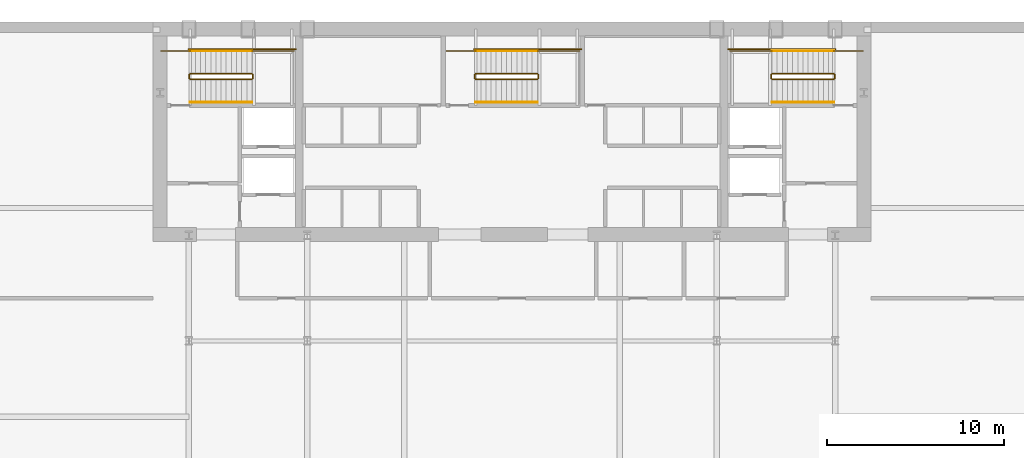
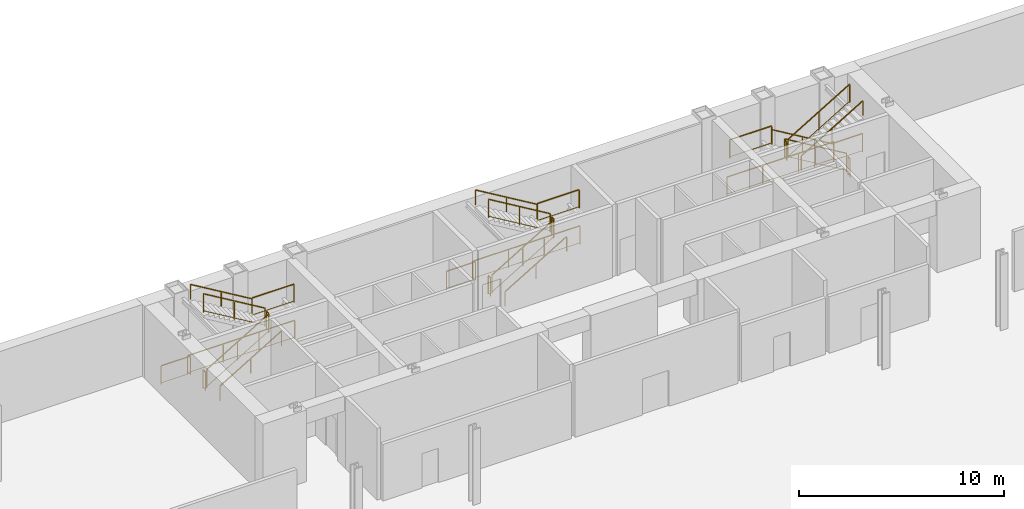
# One storey, part 10 of 10: 27 railings.
"""IFC4 building model written with IfcOpenShell, lengths in metres."""

from ifc_helpers import new_model, si_unit, direction, frame, origin, origin_2d, place, context, subcontext, project, spatial, rectangle, extrude, material, type_object, element, save


model = new_model("IFC4")

# Units and contexts
model_context = context("Model", 3, precision=1e-05, world=origin(), true_north=direction((0.0, 1.0)))
body_context = subcontext(model_context, "Body", "Model", "MODEL_VIEW")
ifc_project = project(units=[si_unit("LENGTHUNIT", "METRE"), si_unit("AREAUNIT", "SQUARE_METRE"), si_unit("VOLUMEUNIT", "CUBIC_METRE"), si_unit("PLANEANGLEUNIT", "RADIAN"), si_unit("MASSUNIT", "GRAM", prefix="KILO")], contexts=[model_context])

# Site, building, storey
site_placement = place(None, origin())
site = spatial("IfcSite", under=ifc_project, at=site_placement, CompositionType="ELEMENT")
building_placement = place(site_placement, origin())
building = spatial("IfcBuilding", under=site, at=building_placement, Name="Khoronbel Lancet Exchange", CompositionType="ELEMENT")
storey_placement = place(building_placement, frame((0.0, 0.0, -4.5)))
storey = spatial("IfcBuildingStorey", under=building, at=storey_placement, Name="B1", CompositionType="ELEMENT", Elevation=-4.5)

# Railings
ifc_material_1 = material(Name="Painted Steel Balustrade", Category="steel")
railing_type_1 = type_object("IfcRailingType", Name="RL-STG110", PredefinedType="GUARDRAIL", material=ifc_material_1)
railing_1_placement = place(storey_placement, frame((18.300048828125, 50.449951171875, 0.173095703125)))
element("IfcRailing", 1, at=railing_1_placement, inside=storey, type_object=railing_type_1, Name="B1 ST1 stair guard 1", PredefinedType="GUARDRAIL", context=body_context, shape_type="SweptSolid", body=[
    extrude(rectangle(XDim=0.048095703125, YDim=0.048095703125, at=origin_2d()), frame((0.0, 0.0, 1.09619140625), z_axis=(0.858697190188, 0.0, 0.512483302717), x_axis=(0.0, 1.0, 0.0)), (0.0, 0.0, 1.0), 4.052734375),
    extrude(rectangle(XDim=0.02392578125, YDim=0.02392578125, at=origin_2d()), frame((0.0, 0.0, 0.080078125), z_axis=(0.858697190188, 0.0, 0.512483302717), x_axis=(0.0, 1.0, 0.0)), (0.0, 0.0, 1.0), 4.052734375),
    extrude(rectangle(XDim=0.0419921875, YDim=0.0419921875, at=origin_2d()), origin(), (0.0, 0.0, 1.0), 1.072021484375),
    extrude(rectangle(XDim=0.0419921875, YDim=0.0419921875, at=origin_2d()), frame((1.739990234375, 0.0, 1.03857421875)), (0.0, 0.0, 1.0), 1.072021484375),
    extrude(rectangle(XDim=0.0419921875, YDim=0.0419921875, at=origin_2d()), frame((3.47998046875, 0.0, 2.076904296875)), (0.0, 0.0, 1.0), 1.072021484375),
])
railing_2_placement = place(storey_placement, frame((21.830078125, 50.5, 2.25)))
element("IfcRailing", 2, at=railing_2_placement, inside=storey, type_object=railing_type_1, Name="B1 ST1 stair guard 2", PredefinedType="GUARDRAIL", context=body_context, shape_type="SweptSolid", body=[
    extrude(rectangle(XDim=0.048095703125, YDim=0.048095703125, at=origin_2d()), frame((0.0, 0.0, 1.09619140625), z_axis=(0.0, 1.0, 0.0), x_axis=(-1.0, 0.0, 0.0)), (0.0, 0.0, 1.0), 0.219970703125),
    extrude(rectangle(XDim=0.02392578125, YDim=0.02392578125, at=origin_2d()), frame((0.0, 0.0, 0.080078125), z_axis=(0.0, 1.0, 0.0), x_axis=(-1.0, 0.0, 0.0)), (0.0, 0.0, 1.0), 0.219970703125),
    extrude(rectangle(XDim=0.0419921875, YDim=0.0419921875, at=origin_2d()), origin(), (0.0, 0.0, 1.0), 1.072021484375),
    extrude(rectangle(XDim=0.0419921875, YDim=0.0419921875, at=origin_2d()), frame((0.0, 0.219970703125, 0.0)), (0.0, 0.0, 1.0), 1.072021484375),
])
railing_3_placement = place(storey_placement, frame((21.780029296875, 52.050048828125, 2.25)))
element("IfcRailing", 3, at=railing_3_placement, inside=storey, type_object=railing_type_1, Name="B1 ST1 stair guard 3", PredefinedType="GUARDRAIL", context=body_context, shape_type="SweptSolid", body=[
    extrude(rectangle(XDim=0.048095703125, YDim=0.048095703125, at=origin_2d()), frame((0.0, 0.0, 1.09619140625), z_axis=(1.0, 0.0, 0.0), x_axis=(0.0, 1.0, 0.0)), (0.0, 0.0, 1.0), 2.369873046875),
    extrude(rectangle(XDim=0.02392578125, YDim=0.02392578125, at=origin_2d()), frame((0.0, 0.0, 0.080078125), z_axis=(1.0, 0.0, 0.0), x_axis=(0.0, 1.0, 0.0)), (0.0, 0.0, 1.0), 2.369873046875),
    extrude(rectangle(XDim=0.0419921875, YDim=0.0419921875, at=origin_2d()), origin(), (0.0, 0.0, 1.0), 1.072021484375),
    extrude(rectangle(XDim=0.0419921875, YDim=0.0419921875, at=origin_2d()), frame((2.369873046875, 0.0, 0.0)), (0.0, 0.0, 1.0), 1.072021484375),
])
railing_4_placement = place(storey_placement, frame((21.780029296875, 50.77001953125, 2.423095703125)))
element("IfcRailing", 4, at=railing_4_placement, inside=storey, type_object=railing_type_1, Name="B1 ST1 stair guard 4", PredefinedType="GUARDRAIL", context=body_context, shape_type="SweptSolid", body=[
    extrude(rectangle(XDim=0.048095703125, YDim=0.048095703125, at=origin_2d()), frame((0.0, 0.0, 1.09619140625), z_axis=(-0.858697190188, 0.0, 0.512483302717), x_axis=(0.0, -1.0, 0.0)), (0.0, 0.0, 1.0), 4.052734375),
    extrude(rectangle(XDim=0.02392578125, YDim=0.02392578125, at=origin_2d()), frame((0.0, 0.0, 0.080078125), z_axis=(-0.858697190188, 0.0, 0.512483302717), x_axis=(0.0, -1.0, 0.0)), (0.0, 0.0, 1.0), 4.052734375),
    extrude(rectangle(XDim=0.0419921875, YDim=0.0419921875, at=origin_2d()), origin(), (0.0, 0.0, 1.0), 1.072021484375),
    extrude(rectangle(XDim=0.0419921875, YDim=0.0419921875, at=origin_2d()), frame((-1.739990234375, 0.0, 1.03857421875)), (0.0, 0.0, 1.0), 1.072021484375),
    extrude(rectangle(XDim=0.0419921875, YDim=0.0419921875, at=origin_2d()), frame((-3.47998046875, 0.0, 2.076904296875)), (0.0, 0.0, 1.0), 1.072021484375),
])
railing_5_placement = place(storey_placement, frame((18.25, 50.5, 0.0)))
element("IfcRailing", 5, at=railing_5_placement, inside=storey, type_object=railing_type_1, Name="B1 ST1 stair guard 5", PredefinedType="GUARDRAIL", context=body_context, shape_type="SweptSolid", body=[
    extrude(rectangle(XDim=0.048095703125, YDim=0.048095703125, at=origin_2d()), frame((0.0, 0.0, 1.09619140625), z_axis=(0.0, 1.0, 0.0), x_axis=(-1.0, 0.0, 0.0)), (0.0, 0.0, 1.0), 0.219970703125),
    extrude(rectangle(XDim=0.02392578125, YDim=0.02392578125, at=origin_2d()), frame((0.0, 0.0, 0.080078125), z_axis=(0.0, 1.0, 0.0), x_axis=(-1.0, 0.0, 0.0)), (0.0, 0.0, 1.0), 0.219970703125),
    extrude(rectangle(XDim=0.0419921875, YDim=0.0419921875, at=origin_2d()), origin(), (0.0, 0.0, 1.0), 1.072021484375),
    extrude(rectangle(XDim=0.0419921875, YDim=0.0419921875, at=origin_2d()), frame((0.0, 0.219970703125, 0.0)), (0.0, 0.0, 1.0), 1.072021484375),
])
railing_6_placement = place(storey_placement, frame((16.64990234375, 52.050048828125, 0.0)))
element("IfcRailing", 6, at=railing_6_placement, inside=storey, type_object=railing_type_1, Name="B1 ST1 stair guard 6", PredefinedType="GUARDRAIL", context=body_context, shape_type="SweptSolid", body=[
    extrude(rectangle(XDim=0.048095703125, YDim=0.048095703125, at=origin_2d()), frame((0.0, 0.0, 1.09619140625), z_axis=(1.0, 0.0, 0.0), x_axis=(0.0, 1.0, 0.0)), (0.0, 0.0, 1.0), 1.650146484375),
    extrude(rectangle(XDim=0.02392578125, YDim=0.02392578125, at=origin_2d()), frame((0.0, 0.0, 0.080078125), z_axis=(1.0, 0.0, 0.0), x_axis=(0.0, 1.0, 0.0)), (0.0, 0.0, 1.0), 1.650146484375),
    extrude(rectangle(XDim=0.0419921875, YDim=0.0419921875, at=origin_2d()), origin(), (0.0, 0.0, 1.0), 1.072021484375),
    extrude(rectangle(XDim=0.0419921875, YDim=0.0419921875, at=origin_2d()), frame((1.650146484375, 0.0, 0.0)), (0.0, 0.0, 1.0), 1.072021484375),
])
railing_7_placement = place(storey_placement, frame((18.199951171875, 52.14990234375, 0.0)))
element("IfcRailing", 7, at=railing_7_placement, inside=storey, type_object=railing_type_1, Name="B1 ST1 stair guard 7", PredefinedType="GUARDRAIL", context=body_context, shape_type="SweptSolid", body=[
    extrude(rectangle(XDim=0.048095703125, YDim=0.048095703125, at=origin_2d()), frame((0.0, 0.0, 1.09619140625), z_axis=(1.0, 0.0, 0.0), x_axis=(0.0, 1.0, 0.0)), (0.0, 0.0, 1.0), 6.050048828125),
    extrude(rectangle(XDim=0.02392578125, YDim=0.02392578125, at=origin_2d()), frame((0.0, 0.0, 0.080078125), z_axis=(1.0, 0.0, 0.0), x_axis=(0.0, 1.0, 0.0)), (0.0, 0.0, 1.0), 6.050048828125),
    extrude(rectangle(XDim=0.0419921875, YDim=0.0419921875, at=origin_2d()), origin(), (0.0, 0.0, 1.0), 1.072021484375),
    extrude(rectangle(XDim=0.0419921875, YDim=0.0419921875, at=origin_2d()), frame((2.0166015625, 0.0, 0.0)), (0.0, 0.0, 1.0), 1.072021484375),
    extrude(rectangle(XDim=0.0419921875, YDim=0.0419921875, at=origin_2d()), frame((4.033447265625, 0.0, 0.0)), (0.0, 0.0, 1.0), 1.072021484375),
    extrude(rectangle(XDim=0.0419921875, YDim=0.0419921875, at=origin_2d()), frame((6.050048828125, 0.0, 0.0)), (0.0, 0.0, 1.0), 1.072021484375),
])
railing_8_placement = place(storey_placement, frame((54.60009765625, 50.77001953125, 0.173095703125)))
element("IfcRailing", 8, at=railing_8_placement, inside=storey, type_object=railing_type_1, Name="B1 ST2 stair guard 1", PredefinedType="GUARDRAIL", context=body_context, shape_type="SweptSolid", body=[
    extrude(rectangle(XDim=0.048095703125, YDim=0.048095703125, at=origin_2d()), frame((0.0, 0.0, 1.09619140625), z_axis=(-0.858697190188, 0.0, 0.512483302717), x_axis=(0.0, -1.0, 0.0)), (0.0, 0.0, 1.0), 4.052734375),
    extrude(rectangle(XDim=0.02392578125, YDim=0.02392578125, at=origin_2d()), frame((0.0, 0.0, 0.080078125), z_axis=(-0.858697190188, 0.0, 0.512483302717), x_axis=(0.0, -1.0, 0.0)), (0.0, 0.0, 1.0), 4.052734375),
    extrude(rectangle(XDim=0.0419921875, YDim=0.0419921875, at=origin_2d()), origin(), (0.0, 0.0, 1.0), 1.072021484375),
    extrude(rectangle(XDim=0.0419921875, YDim=0.0419921875, at=origin_2d()), frame((-1.739990234375, 0.0, 1.03857421875)), (0.0, 0.0, 1.0), 1.072021484375),
    extrude(rectangle(XDim=0.0419921875, YDim=0.0419921875, at=origin_2d()), frame((-3.47998046875, 0.0, 2.076904296875)), (0.0, 0.0, 1.0), 1.072021484375),
])
railing_9_placement = place(storey_placement, frame((51.070068359375, 50.719970703125, 2.25)))
element("IfcRailing", 9, at=railing_9_placement, inside=storey, type_object=railing_type_1, Name="B1 ST2 stair guard 2", PredefinedType="GUARDRAIL", context=body_context, shape_type="SweptSolid", body=[
    extrude(rectangle(XDim=0.048095703125, YDim=0.048095703125, at=origin_2d()), frame((0.0, 0.0, 1.09619140625), z_axis=(0.0, -1.0, 0.0), x_axis=(1.0, 0.0, 0.0)), (0.0, 0.0, 1.0), 0.219970703125),
    extrude(rectangle(XDim=0.02392578125, YDim=0.02392578125, at=origin_2d()), frame((0.0, 0.0, 0.080078125), z_axis=(0.0, -1.0, 0.0), x_axis=(1.0, 0.0, 0.0)), (0.0, 0.0, 1.0), 0.219970703125),
    extrude(rectangle(XDim=0.0419921875, YDim=0.0419921875, at=origin_2d()), origin(), (0.0, 0.0, 1.0), 1.072021484375),
    extrude(rectangle(XDim=0.0419921875, YDim=0.0419921875, at=origin_2d()), frame((0.0, -0.219970703125, 0.0)), (0.0, 0.0, 1.0), 1.072021484375),
])
railing_10_placement = place(storey_placement, frame((51.1201171875, 52.050048828125, 2.25)))
element("IfcRailing", 10, at=railing_10_placement, inside=storey, type_object=railing_type_1, Name="B1 ST2 stair guard 3", PredefinedType="GUARDRAIL", context=body_context, shape_type="SweptSolid", body=[
    extrude(rectangle(XDim=0.048095703125, YDim=0.048095703125, at=origin_2d()), frame((0.0, 0.0, 1.09619140625), z_axis=(-1.0, 0.0, 0.0), x_axis=(0.0, -1.0, 0.0)), (0.0, 0.0, 1.0), 2.3701171875),
    extrude(rectangle(XDim=0.02392578125, YDim=0.02392578125, at=origin_2d()), frame((0.0, 0.0, 0.080078125), z_axis=(-1.0, 0.0, 0.0), x_axis=(0.0, -1.0, 0.0)), (0.0, 0.0, 1.0), 2.3701171875),
    extrude(rectangle(XDim=0.0419921875, YDim=0.0419921875, at=origin_2d()), origin(), (0.0, 0.0, 1.0), 1.072021484375),
    extrude(rectangle(XDim=0.0419921875, YDim=0.0419921875, at=origin_2d()), frame((-2.3701171875, 0.0, 0.0)), (0.0, 0.0, 1.0), 1.072021484375),
])
railing_11_placement = place(storey_placement, frame((51.1201171875, 50.449951171875, 2.423095703125)))
element("IfcRailing", 11, at=railing_11_placement, inside=storey, type_object=railing_type_1, Name="B1 ST2 stair guard 4", PredefinedType="GUARDRAIL", context=body_context, shape_type="SweptSolid", body=[
    extrude(rectangle(XDim=0.048095703125, YDim=0.048095703125, at=origin_2d()), frame((0.0, 0.0, 1.09619140625), z_axis=(0.858697190188, 0.0, 0.512483302717), x_axis=(0.0, 1.0, 0.0)), (0.0, 0.0, 1.0), 4.052734375),
    extrude(rectangle(XDim=0.02392578125, YDim=0.02392578125, at=origin_2d()), frame((0.0, 0.0, 0.080078125), z_axis=(0.858697190188, 0.0, 0.512483302717), x_axis=(0.0, 1.0, 0.0)), (0.0, 0.0, 1.0), 4.052734375),
    extrude(rectangle(XDim=0.0419921875, YDim=0.0419921875, at=origin_2d()), origin(), (0.0, 0.0, 1.0), 1.072021484375),
    extrude(rectangle(XDim=0.0419921875, YDim=0.0419921875, at=origin_2d()), frame((1.739990234375, 0.0, 1.03857421875)), (0.0, 0.0, 1.0), 1.072021484375),
    extrude(rectangle(XDim=0.0419921875, YDim=0.0419921875, at=origin_2d()), frame((3.47998046875, 0.0, 2.076904296875)), (0.0, 0.0, 1.0), 1.072021484375),
])
railing_12_placement = place(storey_placement, frame((54.64990234375, 50.719970703125, 0.0)))
element("IfcRailing", 12, at=railing_12_placement, inside=storey, type_object=railing_type_1, Name="B1 ST2 stair guard 5", PredefinedType="GUARDRAIL", context=body_context, shape_type="SweptSolid", body=[
    extrude(rectangle(XDim=0.048095703125, YDim=0.048095703125, at=origin_2d()), frame((0.0, 0.0, 1.09619140625), z_axis=(0.0, -1.0, 0.0), x_axis=(1.0, 0.0, 0.0)), (0.0, 0.0, 1.0), 0.219970703125),
    extrude(rectangle(XDim=0.02392578125, YDim=0.02392578125, at=origin_2d()), frame((0.0, 0.0, 0.080078125), z_axis=(0.0, -1.0, 0.0), x_axis=(1.0, 0.0, 0.0)), (0.0, 0.0, 1.0), 0.219970703125),
    extrude(rectangle(XDim=0.0419921875, YDim=0.0419921875, at=origin_2d()), origin(), (0.0, 0.0, 1.0), 1.072021484375),
    extrude(rectangle(XDim=0.0419921875, YDim=0.0419921875, at=origin_2d()), frame((0.0, -0.219970703125, 0.0)), (0.0, 0.0, 1.0), 1.072021484375),
])
railing_13_placement = place(storey_placement, frame((56.25, 52.050048828125, 0.0)))
element("IfcRailing", 13, at=railing_13_placement, inside=storey, type_object=railing_type_1, Name="B1 ST2 stair guard 6", PredefinedType="GUARDRAIL", context=body_context, shape_type="SweptSolid", body=[
    extrude(rectangle(XDim=0.048095703125, YDim=0.048095703125, at=origin_2d()), frame((0.0, 0.0, 1.09619140625), z_axis=(-1.0, 0.0, 0.0), x_axis=(0.0, -1.0, 0.0)), (0.0, 0.0, 1.0), 1.64990234375),
    extrude(rectangle(XDim=0.02392578125, YDim=0.02392578125, at=origin_2d()), frame((0.0, 0.0, 0.080078125), z_axis=(-1.0, 0.0, 0.0), x_axis=(0.0, -1.0, 0.0)), (0.0, 0.0, 1.0), 1.64990234375),
    extrude(rectangle(XDim=0.0419921875, YDim=0.0419921875, at=origin_2d()), origin(), (0.0, 0.0, 1.0), 1.072021484375),
    extrude(rectangle(XDim=0.0419921875, YDim=0.0419921875, at=origin_2d()), frame((-1.64990234375, 0.0, 0.0)), (0.0, 0.0, 1.0), 1.072021484375),
])
railing_14_placement = place(storey_placement, frame((54.699951171875, 52.14990234375, 0.0)))
element("IfcRailing", 14, at=railing_14_placement, inside=storey, type_object=railing_type_1, Name="B1 ST2 stair guard 7", PredefinedType="GUARDRAIL", context=body_context, shape_type="SweptSolid", body=[
    extrude(rectangle(XDim=0.048095703125, YDim=0.048095703125, at=origin_2d()), frame((0.0, 0.0, 1.09619140625), z_axis=(-1.0, 0.0, 0.0), x_axis=(0.0, -1.0, 0.0)), (0.0, 0.0, 1.0), 6.050048828125),
    extrude(rectangle(XDim=0.02392578125, YDim=0.02392578125, at=origin_2d()), frame((0.0, 0.0, 0.080078125), z_axis=(-1.0, 0.0, 0.0), x_axis=(0.0, -1.0, 0.0)), (0.0, 0.0, 1.0), 6.050048828125),
    extrude(rectangle(XDim=0.0419921875, YDim=0.0419921875, at=origin_2d()), origin(), (0.0, 0.0, 1.0), 1.072021484375),
    extrude(rectangle(XDim=0.0419921875, YDim=0.0419921875, at=origin_2d()), frame((-2.0166015625, 0.0, 0.0)), (0.0, 0.0, 1.0), 1.072021484375),
    extrude(rectangle(XDim=0.0419921875, YDim=0.0419921875, at=origin_2d()), frame((-4.033447265625, 0.0, 0.0)), (0.0, 0.0, 1.0), 1.072021484375),
    extrude(rectangle(XDim=0.0419921875, YDim=0.0419921875, at=origin_2d()), frame((-6.050048828125, 0.0, 0.0)), (0.0, 0.0, 1.0), 1.072021484375),
])
railing_15_placement = place(storey_placement, frame((34.39990234375, 50.449951171875, 0.173095703125)))
element("IfcRailing", 15, at=railing_15_placement, inside=storey, type_object=railing_type_1, Name="B1 ST3 stair guard 1", PredefinedType="GUARDRAIL", context=body_context, shape_type="SweptSolid", body=[
    extrude(rectangle(XDim=0.048095703125, YDim=0.048095703125, at=origin_2d()), frame((0.0, 0.0, 1.09619140625), z_axis=(0.858697190188, 0.0, 0.512483302717), x_axis=(0.0, 1.0, 0.0)), (0.0, 0.0, 1.0), 4.052734375),
    extrude(rectangle(XDim=0.02392578125, YDim=0.02392578125, at=origin_2d()), frame((0.0, 0.0, 0.080078125), z_axis=(0.858697190188, 0.0, 0.512483302717), x_axis=(0.0, 1.0, 0.0)), (0.0, 0.0, 1.0), 4.052734375),
    extrude(rectangle(XDim=0.0419921875, YDim=0.0419921875, at=origin_2d()), origin(), (0.0, 0.0, 1.0), 1.072021484375),
    extrude(rectangle(XDim=0.0419921875, YDim=0.0419921875, at=origin_2d()), frame((1.739990234375, 0.0, 1.03857421875)), (0.0, 0.0, 1.0), 1.072021484375),
    extrude(rectangle(XDim=0.0419921875, YDim=0.0419921875, at=origin_2d()), frame((3.47998046875, 0.0, 2.076904296875)), (0.0, 0.0, 1.0), 1.072021484375),
])
railing_16_placement = place(storey_placement, frame((37.929931640625, 50.5, 2.25)))
element("IfcRailing", 16, at=railing_16_placement, inside=storey, type_object=railing_type_1, Name="B1 ST3 stair guard 2", PredefinedType="GUARDRAIL", context=body_context, shape_type="SweptSolid", body=[
    extrude(rectangle(XDim=0.048095703125, YDim=0.048095703125, at=origin_2d()), frame((0.0, 0.0, 1.09619140625), z_axis=(0.0, 1.0, 0.0), x_axis=(-1.0, 0.0, 0.0)), (0.0, 0.0, 1.0), 0.219970703125),
    extrude(rectangle(XDim=0.02392578125, YDim=0.02392578125, at=origin_2d()), frame((0.0, 0.0, 0.080078125), z_axis=(0.0, 1.0, 0.0), x_axis=(-1.0, 0.0, 0.0)), (0.0, 0.0, 1.0), 0.219970703125),
    extrude(rectangle(XDim=0.0419921875, YDim=0.0419921875, at=origin_2d()), origin(), (0.0, 0.0, 1.0), 1.072021484375),
    extrude(rectangle(XDim=0.0419921875, YDim=0.0419921875, at=origin_2d()), frame((0.0, 0.219970703125, 0.0)), (0.0, 0.0, 1.0), 1.072021484375),
])
railing_17_placement = place(storey_placement, frame((37.8798828125, 52.050048828125, 2.25)))
element("IfcRailing", 17, at=railing_17_placement, inside=storey, type_object=railing_type_1, Name="B1 ST3 stair guard 3", PredefinedType="GUARDRAIL", context=body_context, shape_type="SweptSolid", body=[
    extrude(rectangle(XDim=0.048095703125, YDim=0.048095703125, at=origin_2d()), frame((0.0, 0.0, 1.09619140625), z_axis=(1.0, 0.0, 0.0), x_axis=(0.0, 1.0, 0.0)), (0.0, 0.0, 1.0), 2.3701171875),
    extrude(rectangle(XDim=0.02392578125, YDim=0.02392578125, at=origin_2d()), frame((0.0, 0.0, 0.080078125), z_axis=(1.0, 0.0, 0.0), x_axis=(0.0, 1.0, 0.0)), (0.0, 0.0, 1.0), 2.3701171875),
    extrude(rectangle(XDim=0.0419921875, YDim=0.0419921875, at=origin_2d()), origin(), (0.0, 0.0, 1.0), 1.072021484375),
    extrude(rectangle(XDim=0.0419921875, YDim=0.0419921875, at=origin_2d()), frame((2.3701171875, 0.0, 0.0)), (0.0, 0.0, 1.0), 1.072021484375),
])
railing_18_placement = place(storey_placement, frame((37.8798828125, 50.77001953125, 2.423095703125)))
element("IfcRailing", 18, at=railing_18_placement, inside=storey, type_object=railing_type_1, Name="B1 ST3 stair guard 4", PredefinedType="GUARDRAIL", context=body_context, shape_type="SweptSolid", body=[
    extrude(rectangle(XDim=0.048095703125, YDim=0.048095703125, at=origin_2d()), frame((0.0, 0.0, 1.09619140625), z_axis=(-0.858697190188, 0.0, 0.512483302717), x_axis=(0.0, -1.0, 0.0)), (0.0, 0.0, 1.0), 4.052734375),
    extrude(rectangle(XDim=0.02392578125, YDim=0.02392578125, at=origin_2d()), frame((0.0, 0.0, 0.080078125), z_axis=(-0.858697190188, 0.0, 0.512483302717), x_axis=(0.0, -1.0, 0.0)), (0.0, 0.0, 1.0), 4.052734375),
    extrude(rectangle(XDim=0.0419921875, YDim=0.0419921875, at=origin_2d()), origin(), (0.0, 0.0, 1.0), 1.072021484375),
    extrude(rectangle(XDim=0.0419921875, YDim=0.0419921875, at=origin_2d()), frame((-1.739990234375, 0.0, 1.03857421875)), (0.0, 0.0, 1.0), 1.072021484375),
    extrude(rectangle(XDim=0.0419921875, YDim=0.0419921875, at=origin_2d()), frame((-3.47998046875, 0.0, 2.076904296875)), (0.0, 0.0, 1.0), 1.072021484375),
])
railing_19_placement = place(storey_placement, frame((34.35009765625, 50.5, 0.0)))
element("IfcRailing", 19, at=railing_19_placement, inside=storey, type_object=railing_type_1, Name="B1 ST3 stair guard 5", PredefinedType="GUARDRAIL", context=body_context, shape_type="SweptSolid", body=[
    extrude(rectangle(XDim=0.048095703125, YDim=0.048095703125, at=origin_2d()), frame((0.0, 0.0, 1.09619140625), z_axis=(0.0, 1.0, 0.0), x_axis=(-1.0, 0.0, 0.0)), (0.0, 0.0, 1.0), 0.219970703125),
    extrude(rectangle(XDim=0.02392578125, YDim=0.02392578125, at=origin_2d()), frame((0.0, 0.0, 0.080078125), z_axis=(0.0, 1.0, 0.0), x_axis=(-1.0, 0.0, 0.0)), (0.0, 0.0, 1.0), 0.219970703125),
    extrude(rectangle(XDim=0.0419921875, YDim=0.0419921875, at=origin_2d()), origin(), (0.0, 0.0, 1.0), 1.072021484375),
    extrude(rectangle(XDim=0.0419921875, YDim=0.0419921875, at=origin_2d()), frame((0.0, 0.219970703125, 0.0)), (0.0, 0.0, 1.0), 1.072021484375),
])
railing_20_placement = place(storey_placement, frame((32.75, 52.050048828125, 0.0)))
element("IfcRailing", 20, at=railing_20_placement, inside=storey, type_object=railing_type_1, Name="B1 ST3 stair guard 6", PredefinedType="GUARDRAIL", context=body_context, shape_type="SweptSolid", body=[
    extrude(rectangle(XDim=0.048095703125, YDim=0.048095703125, at=origin_2d()), frame((0.0, 0.0, 1.09619140625), z_axis=(1.0, 0.0, 0.0), x_axis=(0.0, 1.0, 0.0)), (0.0, 0.0, 1.0), 1.64990234375),
    extrude(rectangle(XDim=0.02392578125, YDim=0.02392578125, at=origin_2d()), frame((0.0, 0.0, 0.080078125), z_axis=(1.0, 0.0, 0.0), x_axis=(0.0, 1.0, 0.0)), (0.0, 0.0, 1.0), 1.64990234375),
    extrude(rectangle(XDim=0.0419921875, YDim=0.0419921875, at=origin_2d()), origin(), (0.0, 0.0, 1.0), 1.072021484375),
    extrude(rectangle(XDim=0.0419921875, YDim=0.0419921875, at=origin_2d()), frame((1.64990234375, 0.0, 0.0)), (0.0, 0.0, 1.0), 1.072021484375),
])
railing_21_placement = place(storey_placement, frame((34.300048828125, 52.14990234375, 0.0)))
element("IfcRailing", 21, at=railing_21_placement, inside=storey, type_object=railing_type_1, Name="B1 ST3 stair guard 7", PredefinedType="GUARDRAIL", context=body_context, shape_type="SweptSolid", body=[
    extrude(rectangle(XDim=0.048095703125, YDim=0.048095703125, at=origin_2d()), frame((0.0, 0.0, 1.09619140625), z_axis=(1.0, 0.0, 0.0), x_axis=(0.0, 1.0, 0.0)), (0.0, 0.0, 1.0), 6.050048828125),
    extrude(rectangle(XDim=0.02392578125, YDim=0.02392578125, at=origin_2d()), frame((0.0, 0.0, 0.080078125), z_axis=(1.0, 0.0, 0.0), x_axis=(0.0, 1.0, 0.0)), (0.0, 0.0, 1.0), 6.050048828125),
    extrude(rectangle(XDim=0.0419921875, YDim=0.0419921875, at=origin_2d()), origin(), (0.0, 0.0, 1.0), 1.072021484375),
    extrude(rectangle(XDim=0.0419921875, YDim=0.0419921875, at=origin_2d()), frame((2.0166015625, 0.0, 0.0)), (0.0, 0.0, 1.0), 1.072021484375),
    extrude(rectangle(XDim=0.0419921875, YDim=0.0419921875, at=origin_2d()), frame((4.033447265625, 0.0, 0.0)), (0.0, 0.0, 1.0), 1.072021484375),
    extrude(rectangle(XDim=0.0419921875, YDim=0.0419921875, at=origin_2d()), frame((6.050048828125, 0.0, 0.0)), (0.0, 0.0, 1.0), 1.072021484375),
])
ifc_material_2 = material(Name="Brushed Stainless Steel 316", Category="steel")
railing_type_2 = type_object("IfcRailingType", Name="RL-STH92", PredefinedType="HANDRAIL", material=ifc_material_2)
railing_22_placement = place(storey_placement, frame((18.300048828125, 49.169921875, 0.173095703125)))
element("IfcRailing", 22, at=railing_22_placement, inside=storey, type_object=railing_type_2, Name="B1 ST1 stair handrail 1", PredefinedType="HANDRAIL", context=body_context, shape_type="SweptSolid", body=[
    extrude(rectangle(XDim=0.048095703125, YDim=0.048095703125, at=origin_2d()), frame((0.0, 0.0, 0.8759765625), z_axis=(0.858697190188, 0.0, 0.512483302717), x_axis=(0.0, 1.0, 0.0)), (0.0, 0.0, 1.0), 4.052734375),
    extrude(rectangle(XDim=0.0419921875, YDim=0.0419921875, at=origin_2d()), origin(), (0.0, 0.0, 1.0), 0.851806640625),
    extrude(rectangle(XDim=0.0419921875, YDim=0.0419921875, at=origin_2d()), frame((1.739990234375, 0.0, 1.03857421875)), (0.0, 0.0, 1.0), 0.851806640625),
    extrude(rectangle(XDim=0.0419921875, YDim=0.0419921875, at=origin_2d()), frame((3.47998046875, 0.0, 2.076904296875)), (0.0, 0.0, 1.0), 0.851806640625),
])
for number, where, name in (
    (23, (21.780029296875, 52.050048828125, 2.423095703125), "B1 ST1 stair handrail 2"),
    (24, (54.60009765625, 52.050048828125, 0.173095703125), "B1 ST2 stair handrail 1"),
):
    element("IfcRailing", number, at=place(storey_placement, frame(where)), inside=storey, type_object=railing_type_2, Name=name, PredefinedType="HANDRAIL", context=body_context, shape_type="SweptSolid", body=[
        extrude(rectangle(XDim=0.048095703125, YDim=0.048095703125, at=origin_2d()), frame((0.0, 0.0, 0.8759765625), z_axis=(-0.858697190188, 0.0, 0.512483302717), x_axis=(0.0, -1.0, 0.0)), (0.0, 0.0, 1.0), 4.052734375),
        extrude(rectangle(XDim=0.0419921875, YDim=0.0419921875, at=origin_2d()), origin(), (0.0, 0.0, 1.0), 0.851806640625),
        extrude(rectangle(XDim=0.0419921875, YDim=0.0419921875, at=origin_2d()), frame((-1.739990234375, 0.0, 1.03857421875)), (0.0, 0.0, 1.0), 0.851806640625),
        extrude(rectangle(XDim=0.0419921875, YDim=0.0419921875, at=origin_2d()), frame((-3.47998046875, 0.0, 2.076904296875)), (0.0, 0.0, 1.0), 0.851806640625),
    ])
for number, where, name in (
    (25, (51.1201171875, 49.169921875, 2.423095703125), "B1 ST2 stair handrail 2"),
    (26, (34.39990234375, 49.169921875, 0.173095703125), "B1 ST3 stair handrail 1"),
):
    element("IfcRailing", number, at=place(storey_placement, frame(where)), inside=storey, type_object=railing_type_2, Name=name, PredefinedType="HANDRAIL", context=body_context, shape_type="SweptSolid", body=[
        extrude(rectangle(XDim=0.048095703125, YDim=0.048095703125, at=origin_2d()), frame((0.0, 0.0, 0.8759765625), z_axis=(0.858697190188, 0.0, 0.512483302717), x_axis=(0.0, 1.0, 0.0)), (0.0, 0.0, 1.0), 4.052734375),
        extrude(rectangle(XDim=0.0419921875, YDim=0.0419921875, at=origin_2d()), origin(), (0.0, 0.0, 1.0), 0.851806640625),
        extrude(rectangle(XDim=0.0419921875, YDim=0.0419921875, at=origin_2d()), frame((1.739990234375, 0.0, 1.03857421875)), (0.0, 0.0, 1.0), 0.851806640625),
        extrude(rectangle(XDim=0.0419921875, YDim=0.0419921875, at=origin_2d()), frame((3.47998046875, 0.0, 2.076904296875)), (0.0, 0.0, 1.0), 0.851806640625),
    ])
railing_23_placement = place(storey_placement, frame((37.8798828125, 52.050048828125, 2.423095703125)))
element("IfcRailing", 27, at=railing_23_placement, inside=storey, type_object=railing_type_2, Name="B1 ST3 stair handrail 2", PredefinedType="HANDRAIL", context=body_context, shape_type="SweptSolid", body=[
    extrude(rectangle(XDim=0.048095703125, YDim=0.048095703125, at=origin_2d()), frame((0.0, 0.0, 0.8759765625), z_axis=(-0.858697190188, 0.0, 0.512483302717), x_axis=(0.0, -1.0, 0.0)), (0.0, 0.0, 1.0), 4.052734375),
    extrude(rectangle(XDim=0.0419921875, YDim=0.0419921875, at=origin_2d()), origin(), (0.0, 0.0, 1.0), 0.851806640625),
    extrude(rectangle(XDim=0.0419921875, YDim=0.0419921875, at=origin_2d()), frame((-1.739990234375, 0.0, 1.03857421875)), (0.0, 0.0, 1.0), 0.851806640625),
    extrude(rectangle(XDim=0.0419921875, YDim=0.0419921875, at=origin_2d()), frame((-3.47998046875, 0.0, 2.076904296875)), (0.0, 0.0, 1.0), 0.851806640625),
])

save(model, "model.ifc")
